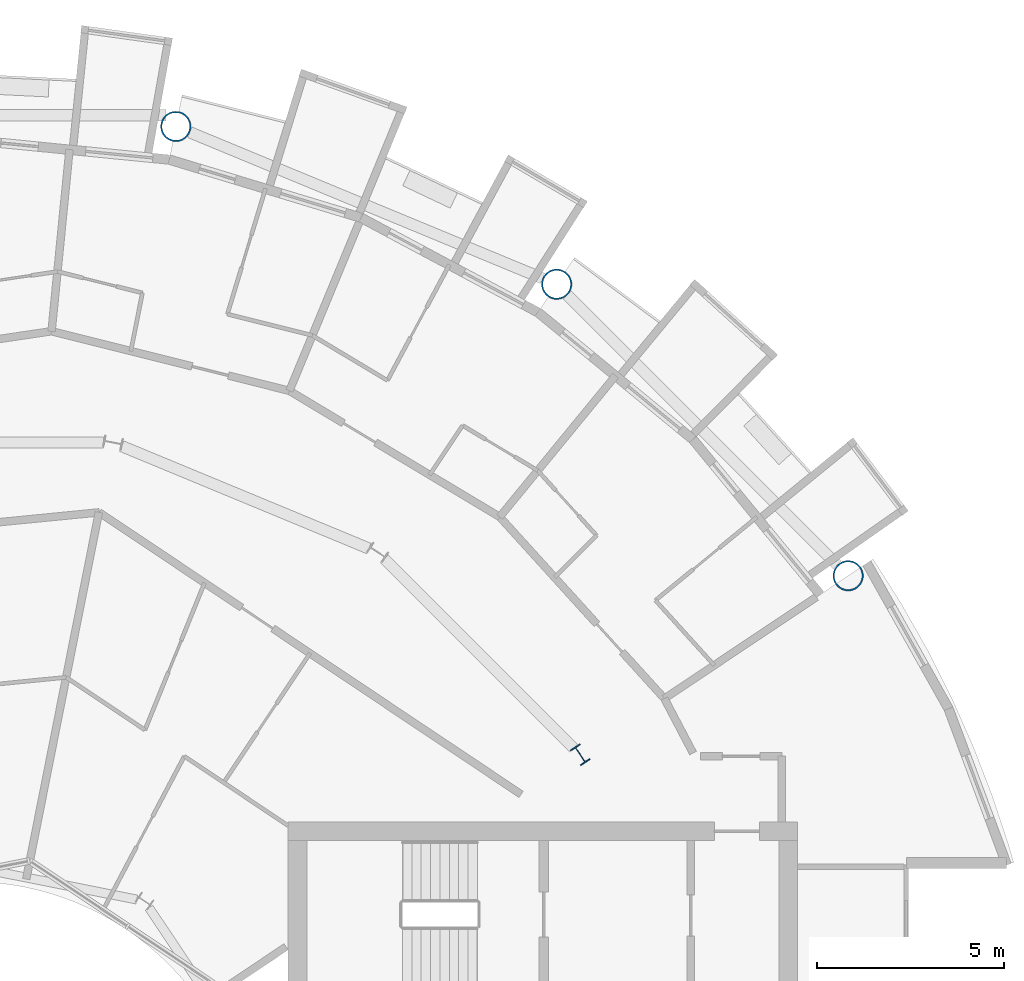
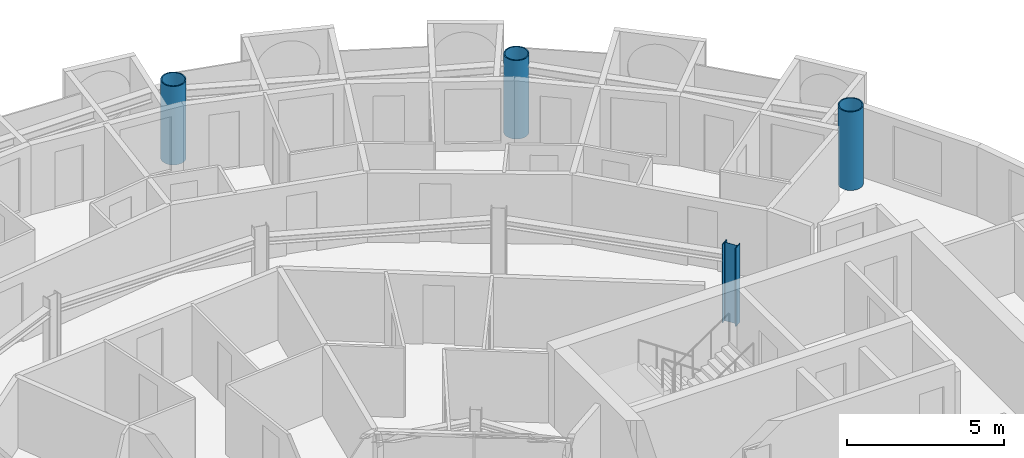
# One storey, part 4 of 27: 4 columns.
"""IFC4 building model written with IfcOpenShell, lengths in metres."""

from ifc_helpers import new_model, si_unit, direction, frame, origin, origin_2d, place, context, subcontext, project, spatial, hollow_circle, i_section, extrude, material, material_profile, profile_set, type_object, element, save


model = new_model("IFC4")

# Units and contexts
model_context = context("Model", 3, precision=1e-05, world=origin(), true_north=direction((0.0, 1.0)))
body_context = subcontext(model_context, "Body", "Model", "MODEL_VIEW")
ifc_project = project(units=[si_unit("LENGTHUNIT", "METRE"), si_unit("AREAUNIT", "SQUARE_METRE"), si_unit("VOLUMEUNIT", "CUBIC_METRE"), si_unit("PLANEANGLEUNIT", "RADIAN"), si_unit("MASSUNIT", "GRAM", prefix="KILO")], contexts=[model_context])

# Site, building, storey
site_placement = place(None, origin())
site = spatial("IfcSite", under=ifc_project, at=site_placement, CompositionType="ELEMENT")
building_placement = place(site_placement, origin())
building = spatial("IfcBuilding", under=site, at=building_placement, Name="Maasbend Ring Residences", CompositionType="ELEMENT")
storey_placement = place(building_placement, frame((0.0, 0.0, 148.25)))
storey = spatial("IfcBuildingStorey", under=building, at=storey_placement, Name="L42", CompositionType="ELEMENT", Elevation=148.25)

# Columns
ifc_material_1 = material(Name="Composite concrete-filled steel tube S460NH / C80/95", Category="concrete")
ifc_material_profile_1 = material_profile(ifc_material_1, hollow_circle(Radius=0.406494140625, WallThickness=0.0400390625, at=origin_2d()), Name="Composite tube column CHS 813x40")
ifc_profile_set_1 = profile_set([ifc_material_profile_1], Name="Composite concrete-filled steel tube S460NH / C80/95")
column_type_1 = type_object("IfcColumnType", Name="Composite tube column CHS 813x40", PredefinedType="COLUMN", material=ifc_profile_set_1)
for number, where, z_axis, x_axis, name in (
    (1, (23.447509765625, 15.6669921875, 0.0), (0.0, 0.0, 1.0), (1.0, 0.0, 0.0), "Outer column R2"),
    (2, (15.6669921875, 23.447509765625, 0.0), (0.0, 0.0, 1.0), (1.0, 0.0, 0.0), "Outer column R3"),
    (3, (5.50146484375, 27.658203125, 0.0), (0.0, 0.0, 1.0), (1.0, 0.0, 0.0), "Outer column R4"),
):
    element("IfcColumn", number, at=place(storey_placement, frame(where, z_axis=z_axis, x_axis=x_axis)), inside=storey, type_object=column_type_1, Name=name, PredefinedType="COLUMN", context=body_context, shape_type="SweptSolid", body=[
        extrude(hollow_circle(Radius=0.406494140625, WallThickness=0.0400390625, at=origin_2d()), origin(), (0.0, 0.0, 1.0), 3.050048828125),
    ])
ifc_material_2 = material(Name="Steel S355J2", Category="steel")
ifc_material_profile_2 = material_profile(ifc_material_2, i_section(OverallWidth=0.300048828125, OverallDepth=0.5, WebThickness=0.014404296875, FlangeThickness=0.028076171875, FilletRadius=0.027099609375, at=origin_2d()), Name="HEB 500")
ifc_profile_set_2 = profile_set([ifc_material_profile_2], Name="Steel S355J2")
column_type_2 = type_object("IfcColumnType", Name="Steel column HEB 500", PredefinedType="COLUMN", material=ifc_profile_set_2)
column_placement = place(storey_placement, frame((16.296875, 10.88916015625, 0.0), z_axis=(0.0, 0.0, 1.0), x_axis=(0.831469612303, 0.55557023302, 0.0)))
element("IfcColumn", 4, at=column_placement, inside=storey, type_object=column_type_2, Name="Corridor ring column R2", PredefinedType="COLUMN", context=body_context, shape_type="SweptSolid", body=[
    extrude(i_section(OverallWidth=0.300048828125, OverallDepth=0.5, WebThickness=0.014404296875, FlangeThickness=0.028076171875, FilletRadius=0.027099609375, at=origin_2d()), origin(), (0.0, 0.0, 1.0), 3.050048828125),
])

save(model, "model.ifc")
